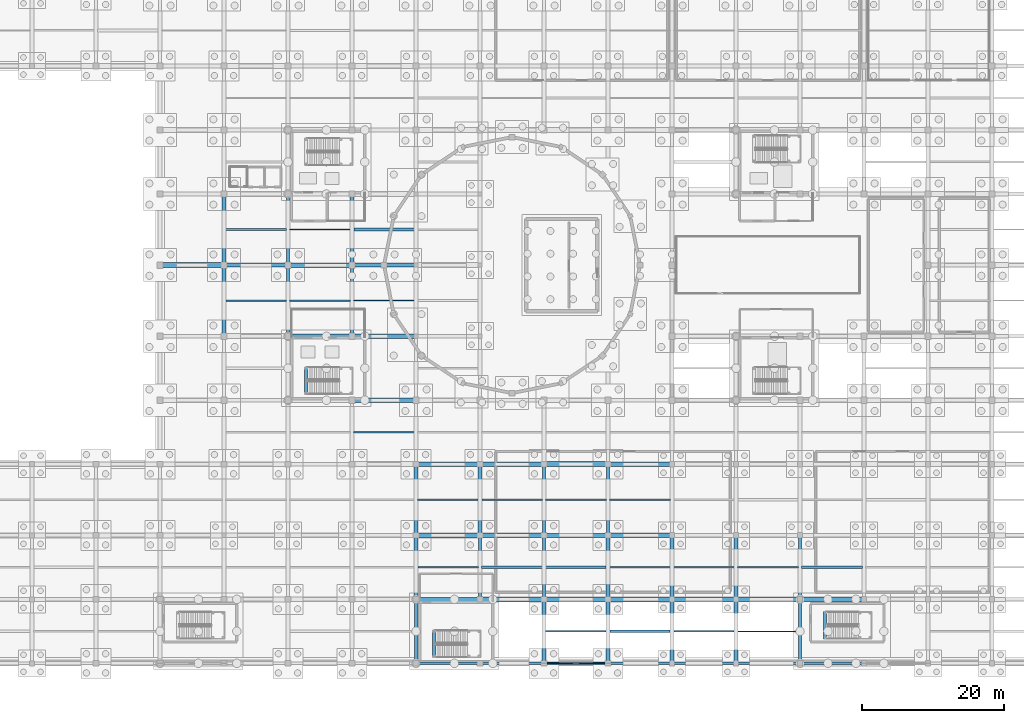
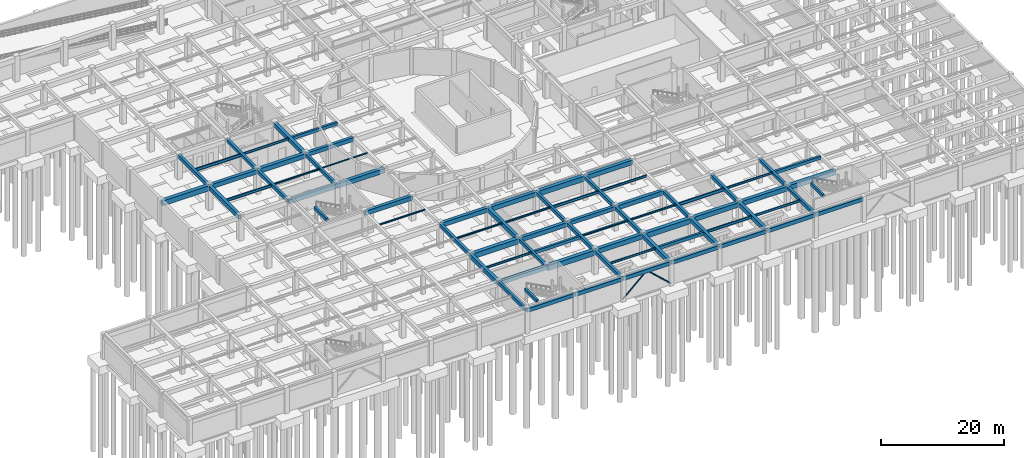
# One storey, part 29 of 62: 77 beams, 2 members.
"""IFC4 building model written with IfcOpenShell, lengths in metres."""

from ifc_helpers import new_model, si_unit, direction, frame, origin, origin_2d, place, context, subcontext, project, spatial, rectangle, hollow_circle, i_section, extrude, material, material_profile, profile_set, type_object, element, save


model = new_model("IFC4")

# Units and contexts
model_context = context("Model", 3, precision=1e-05, world=origin(), true_north=direction((0.0, 1.0)))
body_context = subcontext(model_context, "Body", "Model", "MODEL_VIEW")
ifc_project = project(units=[si_unit("LENGTHUNIT", "METRE"), si_unit("AREAUNIT", "SQUARE_METRE"), si_unit("VOLUMEUNIT", "CUBIC_METRE"), si_unit("PLANEANGLEUNIT", "RADIAN"), si_unit("MASSUNIT", "GRAM", prefix="KILO")], contexts=[model_context])

# Site, building, storey
site_placement = place(None, origin())
site = spatial("IfcSite", under=ifc_project, at=site_placement, CompositionType="ELEMENT")
building_placement = place(site_placement, origin())
building = spatial("IfcBuilding", under=site, at=building_placement, Name="Miravela Opera House", CompositionType="ELEMENT")
storey_placement = place(building_placement, frame((0.0, 0.0, -5.10009765625)))
storey = spatial("IfcBuildingStorey", under=building, at=storey_placement, Name="B01", CompositionType="ELEMENT", Elevation=-5.10009765625)

# Beams
ifc_material_1 = material(Name="Concrete C35/45", Category="concrete")
ifc_material_profile_1 = material_profile(ifc_material_1, rectangle(XDim=0.39990234375, YDim=0.60009765625, at=origin_2d()), Name="RC-BM-400X600")
ifc_profile_set_1 = profile_set([ifc_material_profile_1])
beam_type_1 = type_object("IfcBeamType", Name="STR-BM-RC400X600", PredefinedType="JOIST", material=ifc_profile_set_1)
beam_1_placement = place(storey_placement, frame((54.284912109375, 61.0, 4.52001953125), z_axis=(1.0, 0.0, 0.0), x_axis=(0.0, 1.0, 0.0)))
element("IfcBeam", 1, at=beam_1_placement, inside=storey, type_object=beam_type_1, Name="Secondary Floor Joist B01 7-8/G-H", PredefinedType="JOIST", context=body_context, shape_type="SweptSolid", body=[
    extrude(rectangle(XDim=0.39990234375, YDim=0.60009765625, at=origin_2d()), origin(), (0.0, 0.0, 1.0), 8.47998046875),
])
beam_2_placement = place(storey_placement, frame((72.2099609375, 13.5, 4.47998046875), z_axis=(1.0, 0.0, 0.0), x_axis=(0.0, 1.0, 0.0)))
element("IfcBeam", 2, at=beam_2_placement, inside=storey, type_object=beam_type_1, Name="Secondary Floor Joist B01 9-10/B-C", PredefinedType="JOIST", context=body_context, shape_type="SweptSolid", body=[
    extrude(rectangle(XDim=0.39990234375, YDim=0.60009765625, at=origin_2d()), origin(), (0.0, 0.0, 1.0), 8.56494140625),
])
beam_3_placement = place(storey_placement, frame((90.284912109375, 4.5, 4.47998046875), z_axis=(1.0, 0.0, 0.0), x_axis=(0.0, 1.0, 0.0)))
element("IfcBeam", 3, at=beam_3_placement, inside=storey, type_object=beam_type_1, Name="Secondary Floor Joist B01 11-12/A-B", PredefinedType="JOIST", context=body_context, shape_type="SweptSolid", body=[
    extrude(rectangle(XDim=0.39990234375, YDim=0.60009765625, at=origin_2d()), origin(), (0.0, 0.0, 1.0), 8.43017578125),
])
beam_4_placement = place(storey_placement, frame((117.2099609375, 13.5, 4.530029296875), z_axis=(1.0, 0.0, 0.0), x_axis=(0.0, 1.0, 0.0)))
element("IfcBeam", 4, at=beam_4_placement, inside=storey, type_object=beam_type_1, Name="Secondary Floor Joist B01 14-15/B-C", PredefinedType="JOIST", context=body_context, shape_type="SweptSolid", body=[
    extrude(rectangle(XDim=0.39990234375, YDim=0.60009765625, at=origin_2d()), origin(), (0.0, 0.0, 1.0), 8.56494140625),
])
for number, where, z_axis, x_axis, name in (
    (5, (47.5400390625, 37.800048828125, 4.800048828125), (0.0, 1.0, 0.0), (-1.0, 0.0, 0.0), "Stair K2 Opening Header Trimmer Beam 00"),
    (6, (65.5400390625, 0.800048828125, 4.800048828125), (0.0, 1.0, 0.0), (-1.0, 0.0, 0.0), "Stair K6 Opening Header Trimmer Beam 00"),
):
    element("IfcBeam", number, at=place(storey_placement, frame(where, z_axis=z_axis, x_axis=x_axis)), inside=storey, type_object=beam_type_1, Name=name, PredefinedType="JOIST", context=body_context, shape_type="SweptSolid", body=[
        extrude(rectangle(XDim=0.39990234375, YDim=0.60009765625, at=origin_2d()), origin(), (0.0, 0.0, 1.0), 3.8798828125),
    ])
beam_5_placement = place(storey_placement, frame((120.5400390625, 3.39990234375, 4.800048828125), z_axis=(0.0, 1.0, 0.0), x_axis=(-1.0, 0.0, 0.0)))
element("IfcBeam", 7, at=beam_5_placement, inside=storey, type_object=beam_type_1, Name="Stair ST-10 Opening Header Trimmer Beam 00", PredefinedType="JOIST", context=body_context, shape_type="SweptSolid", body=[
    extrude(rectangle(XDim=0.39990234375, YDim=0.60009765625, at=origin_2d()), origin(), (0.0, 0.0, 1.0), 3.880126953125),
])
ifc_material_profile_2 = material_profile(ifc_material_1, rectangle(XDim=0.449951171875, YDim=0.64990234375, at=origin_2d()), Name="RC-BM-450X650")
ifc_profile_set_2 = profile_set([ifc_material_profile_2])
beam_type_2 = type_object("IfcBeamType", Name="STR-BM-RC450X650", PredefinedType="BEAM", material=ifc_profile_set_2)
for number, where, z_axis, x_axis, name in (
    (8, (45.0, 56.080078125, 4.4951171875), (0.0, 1.0, 0.0), (-1.0, 0.0, 0.0), "Floor Girder B01 6/G-H"),
    (9, (54.0, 46.080078125, 4.4951171875), (0.0, 1.0, 0.0), (-1.0, 0.0, 0.0), "Floor Girder B01 7/F-G"),
):
    element("IfcBeam", number, at=place(storey_placement, frame(where, z_axis=z_axis, x_axis=x_axis)), inside=storey, type_object=beam_type_2, Name=name, PredefinedType="BEAM", context=body_context, shape_type="SweptSolid", body=[
        extrude(rectangle(XDim=0.449951171875, YDim=0.64990234375, at=origin_2d()), origin(), (0.0, 0.0, 1.0), 9.83984375),
    ])
for number, where, z_axis, x_axis, name in (
    (10, (63.0, 0.080078125, 4.4951171875), (0.0, 1.0, 0.0), (-1.0, 0.0, 0.0), "Floor Girder B01 8/A-B"),
    (11, (72.0, 9.080078125, 4.455078125), (0.0, 1.0, 0.0), (-1.0, 0.0, 0.0), "Floor Girder B01 9/B-C"),
):
    element("IfcBeam", number, at=place(storey_placement, frame(where, z_axis=z_axis, x_axis=x_axis)), inside=storey, type_object=beam_type_2, Name=name, PredefinedType="BEAM", context=body_context, shape_type="SweptSolid", body=[
        extrude(rectangle(XDim=0.449951171875, YDim=0.64990234375, at=origin_2d()), origin(), (0.0, 0.0, 1.0), 8.83984375),
    ])
beam_6_placement = place(storey_placement, frame((81.0, 18.080078125, 4.455078125), z_axis=(0.0, 1.0, 0.0), x_axis=(-1.0, 0.0, 0.0)))
element("IfcBeam", 12, at=beam_6_placement, inside=storey, type_object=beam_type_2, Name="Floor Girder B01 10/C-D", PredefinedType="BEAM", context=body_context, shape_type="SweptSolid", body=[
    extrude(rectangle(XDim=0.449951171875, YDim=0.64990234375, at=origin_2d()), origin(), (0.0, 0.0, 1.0), 9.83984375),
])
beam_7_placement = place(storey_placement, frame((117.0, 9.080078125, 4.455078125), z_axis=(0.0, 1.0, 0.0), x_axis=(-1.0, 0.0, 0.0)))
element("IfcBeam", 13, at=beam_7_placement, inside=storey, type_object=beam_type_2, Name="Floor Girder B01 14/B-C", PredefinedType="BEAM", context=body_context, shape_type="SweptSolid", body=[
    extrude(rectangle(XDim=0.449951171875, YDim=0.64990234375, at=origin_2d()), origin(), (0.0, 0.0, 1.0), 8.83984375),
])
ifc_material_profile_3 = material_profile(ifc_material_1, rectangle(XDim=0.47998046875, YDim=0.679931640625, at=origin_2d()), Name="RC-BM-480X680")
ifc_profile_set_3 = profile_set([ifc_material_profile_3])
beam_type_3 = type_object("IfcBeamType", Name="STR-BM-RC480X680", PredefinedType="BEAM", material=ifc_profile_set_3)
beam_8_placement = place(storey_placement, frame((45.0, 46.080078125, 4.47998046875), z_axis=(0.0, 1.0, 0.0), x_axis=(-1.0, 0.0, 0.0)))
element("IfcBeam", 14, at=beam_8_placement, inside=storey, type_object=beam_type_3, Name="Floor Girder B01 6/F-G", PredefinedType="BEAM", context=body_context, shape_type="SweptSolid", body=[
    extrude(rectangle(XDim=0.47998046875, YDim=0.679931640625, at=origin_2d()), origin(), (0.0, 0.0, 1.0), 9.83984375),
])
beam_9_placement = place(storey_placement, frame((81.0, 9.080078125, 4.440185546875), z_axis=(0.0, 1.0, 0.0), x_axis=(-1.0, 0.0, 0.0)))
element("IfcBeam", 15, at=beam_9_placement, inside=storey, type_object=beam_type_3, Name="Floor Girder B01 10/B-C", PredefinedType="BEAM", context=body_context, shape_type="SweptSolid", body=[
    extrude(rectangle(XDim=0.47998046875, YDim=0.679931640625, at=origin_2d()), origin(), (0.0, 0.0, 1.0), 8.83984375),
])
beam_10_placement = place(storey_placement, frame((90.0, 18.080078125, 4.440185546875), z_axis=(0.0, 1.0, 0.0), x_axis=(-1.0, 0.0, 0.0)))
element("IfcBeam", 16, at=beam_10_placement, inside=storey, type_object=beam_type_3, Name="Floor Girder B01 11/C-D", PredefinedType="BEAM", context=body_context, shape_type="SweptSolid", body=[
    extrude(rectangle(XDim=0.47998046875, YDim=0.679931640625, at=origin_2d()), origin(), (0.0, 0.0, 1.0), 9.83984375),
])
beam_11_placement = place(storey_placement, frame((117.0, 0.080078125, 4.440185546875), z_axis=(0.0, 1.0, 0.0), x_axis=(-1.0, 0.0, 0.0)))
element("IfcBeam", 17, at=beam_11_placement, inside=storey, type_object=beam_type_3, Name="Floor Girder B01 14/A-B", PredefinedType="BEAM", context=body_context, shape_type="SweptSolid", body=[
    extrude(rectangle(XDim=0.47998046875, YDim=0.679931640625, at=origin_2d()), origin(), (0.0, 0.0, 1.0), 8.83984375),
])
ifc_material_profile_4 = material_profile(ifc_material_1, rectangle(XDim=0.5, YDim=0.699951171875, at=origin_2d()), Name="RC-BM-500X700")
ifc_profile_set_4 = profile_set([ifc_material_profile_4])
beam_type_4 = type_object("IfcBeamType", Name="STR-BM-RC500X700", PredefinedType="BEAM", material=ifc_profile_set_4)
for number, where, z_axis, x_axis, name in (
    (18, (36.0, 56.080078125, 4.47021484375), (0.0, 1.0, 0.0), (-1.0, 0.0, 0.0), "Floor Girder B01 5/G-H"),
    (19, (63.0, 18.080078125, 4.43017578125), (0.0, 1.0, 0.0), (-1.0, 0.0, 0.0), "Floor Girder B01 8/C-D"),
):
    element("IfcBeam", number, at=place(storey_placement, frame(where, z_axis=z_axis, x_axis=x_axis)), inside=storey, type_object=beam_type_4, Name=name, PredefinedType="BEAM", context=body_context, shape_type="SweptSolid", body=[
        extrude(rectangle(XDim=0.5, YDim=0.699951171875, at=origin_2d()), origin(), (0.0, 0.0, 1.0), 9.83984375),
    ])
for number, where, z_axis, x_axis, name in (
    (20, (81.0, 0.080078125, 4.43017578125), (0.0, 1.0, 0.0), (-1.0, 0.0, 0.0), "Floor Girder B01 10/A-B"),
    (21, (90.0, 9.080078125, 4.43017578125), (0.0, 1.0, 0.0), (-1.0, 0.0, 0.0), "Floor Girder B01 11/B-C"),
    (22, (99.0, 9.080078125, 4.43017578125), (0.0, 1.0, 0.0), (-1.0, 0.0, 0.0), "Floor Girder B01 12/B-C"),
    (23, (108.0, 9.080078125, 4.43017578125), (0.0, 1.0, 0.0), (-1.0, 0.0, 0.0), "Floor Girder B01 13/B-C"),
):
    element("IfcBeam", number, at=place(storey_placement, frame(where, z_axis=z_axis, x_axis=x_axis)), inside=storey, type_object=beam_type_4, Name=name, PredefinedType="BEAM", context=body_context, shape_type="SweptSolid", body=[
        extrude(rectangle(XDim=0.5, YDim=0.699951171875, at=origin_2d()), origin(), (0.0, 0.0, 1.0), 8.83984375),
    ])
ifc_material_profile_5 = material_profile(ifc_material_1, rectangle(XDim=0.550048828125, YDim=0.75, at=origin_2d()), Name="RC-BM-550X750")
ifc_profile_set_5 = profile_set([ifc_material_profile_5])
beam_type_5 = type_object("IfcBeamType", Name="STR-BM-RC550X750", PredefinedType="BEAM", material=ifc_profile_set_5)
for number, where, z_axis, x_axis, name in (
    (24, (54.080078125, 56.0, 4.445068359375), (1.0, 0.0, 0.0), (0.0, 1.0, 0.0), "Floor Girder B01 7-8/G"),
    (25, (63.080078125, 9.0, 4.405029296875), (1.0, 0.0, 0.0), (0.0, 1.0, 0.0), "Floor Girder B01 8-9/B"),
    (26, (81.080078125, 18.0, 4.405029296875), (1.0, 0.0, 0.0), (0.0, 1.0, 0.0), "Floor Girder B01 10-11/C"),
):
    element("IfcBeam", number, at=place(storey_placement, frame(where, z_axis=z_axis, x_axis=x_axis)), inside=storey, type_object=beam_type_5, Name=name, PredefinedType="BEAM", context=body_context, shape_type="SweptSolid", body=[
        extrude(rectangle(XDim=0.550048828125, YDim=0.75, at=origin_2d()), origin(), (0.0, 0.0, 1.0), 8.83984375),
    ])
ifc_material_2 = material(Name="Concrete C40/50", Category="concrete")
ifc_material_profile_6 = material_profile(ifc_material_2, rectangle(XDim=0.60009765625, YDim=0.85009765625, at=origin_2d()), Name="RC-BM-600X850")
ifc_profile_set_6 = profile_set([ifc_material_profile_6])
beam_type_6 = type_object("IfcBeamType", Name="STR-BM-RC600X850", PredefinedType="BEAM", material=ifc_profile_set_6)
for number, where, z_axis, x_axis, name in (
    (27, (36.080078125, 56.0, 4.39501953125), (1.0, 0.0, 0.0), (0.0, 1.0, 0.0), "Floor Girder B01 5-6/G"),
    (28, (45.080078125, 46.0, 4.39501953125), (1.0, 0.0, 0.0), (0.0, 1.0, 0.0), "Floor Girder B01 6-7/F"),
    (29, (54.080078125, 37.0, 4.39501953125), (1.0, 0.0, 0.0), (0.0, 1.0, 0.0), "Floor Girder B01 7-8/E"),
    (30, (63.080078125, 28.0, 4.35498046875), (1.0, 0.0, 0.0), (0.0, 1.0, 0.0), "Floor Girder B01 8-9/D"),
    (31, (72.080078125, 18.0, 4.35498046875), (1.0, 0.0, 0.0), (0.0, 1.0, 0.0), "Floor Girder B01 9-10/C"),
    (32, (90.080078125, 18.0, 4.35498046875), (1.0, 0.0, 0.0), (0.0, 1.0, 0.0), "Floor Girder B01 11-12/C"),
):
    element("IfcBeam", number, at=place(storey_placement, frame(where, z_axis=z_axis, x_axis=x_axis)), inside=storey, type_object=beam_type_6, Name=name, PredefinedType="BEAM", context=body_context, shape_type="SweptSolid", body=[
        extrude(rectangle(XDim=0.60009765625, YDim=0.85009765625, at=origin_2d()), origin(), (0.0, 0.0, 1.0), 8.83984375),
    ])
for number, where, z_axis, x_axis, name in (
    (33, (36.0, 46.080078125, 4.39501953125), (0.0, 1.0, 0.0), (-1.0, 0.0, 0.0), "Floor Girder B01 5/F-G"),
    (34, (54.0, 56.080078125, 4.39501953125), (0.0, 1.0, 0.0), (-1.0, 0.0, 0.0), "Floor Girder B01 7/G-H"),
):
    element("IfcBeam", number, at=place(storey_placement, frame(where, z_axis=z_axis, x_axis=x_axis)), inside=storey, type_object=beam_type_6, Name=name, PredefinedType="BEAM", context=body_context, shape_type="SweptSolid", body=[
        extrude(rectangle(XDim=0.60009765625, YDim=0.85009765625, at=origin_2d()), origin(), (0.0, 0.0, 1.0), 9.83984375),
    ])
beam_12_placement = place(storey_placement, frame((63.0, 9.080078125, 4.35498046875), z_axis=(0.0, 1.0, 0.0), x_axis=(-1.0, 0.0, 0.0)))
element("IfcBeam", 35, at=beam_12_placement, inside=storey, type_object=beam_type_6, Name="Floor Girder B01 8/B-C", PredefinedType="BEAM", context=body_context, shape_type="SweptSolid", body=[
    extrude(rectangle(XDim=0.60009765625, YDim=0.85009765625, at=origin_2d()), origin(), (0.0, 0.0, 1.0), 8.83984375),
])
beam_13_placement = place(storey_placement, frame((72.0, 18.080078125, 4.35498046875), z_axis=(0.0, 1.0, 0.0), x_axis=(-1.0, 0.0, 0.0)))
element("IfcBeam", 36, at=beam_13_placement, inside=storey, type_object=beam_type_6, Name="Floor Girder B01 9/C-D", PredefinedType="BEAM", context=body_context, shape_type="SweptSolid", body=[
    extrude(rectangle(XDim=0.60009765625, YDim=0.85009765625, at=origin_2d()), origin(), (0.0, 0.0, 1.0), 9.83984375),
])
for number, where, z_axis, x_axis, name in (
    (37, (90.0, 0.080078125, 4.35498046875), (0.0, 1.0, 0.0), (-1.0, 0.0, 0.0), "Floor Girder B01 11/A-B"),
    (38, (99.0, 0.080078125, 4.35498046875), (0.0, 1.0, 0.0), (-1.0, 0.0, 0.0), "Floor Girder B01 12/A-B"),
    (39, (108.0, 0.080078125, 4.35498046875), (0.0, 1.0, 0.0), (-1.0, 0.0, 0.0), "Floor Girder B01 13/A-B"),
):
    element("IfcBeam", number, at=place(storey_placement, frame(where, z_axis=z_axis, x_axis=x_axis)), inside=storey, type_object=beam_type_6, Name=name, PredefinedType="BEAM", context=body_context, shape_type="SweptSolid", body=[
        extrude(rectangle(XDim=0.60009765625, YDim=0.85009765625, at=origin_2d()), origin(), (0.0, 0.0, 1.0), 8.83984375),
    ])
ifc_material_profile_7 = material_profile(ifc_material_2, rectangle(XDim=0.64990234375, YDim=0.89990234375, at=origin_2d()), Name="RC-BM-650X900")
ifc_profile_set_7 = profile_set([ifc_material_profile_7])
beam_type_7 = type_object("IfcBeamType", Name="STR-BM-RC650X900", PredefinedType="BEAM", material=ifc_profile_set_7)
for number, where, z_axis, x_axis, name in (
    (40, (45.080078125, 56.0, 4.3701171875), (1.0, 0.0, 0.0), (0.0, 1.0, 0.0), "Floor Girder B01 6-7/G"),
    (41, (54.080078125, 46.0, 4.3701171875), (1.0, 0.0, 0.0), (0.0, 1.0, 0.0), "Floor Girder B01 7-8/F"),
    (42, (72.080078125, 28.0, 4.330078125), (1.0, 0.0, 0.0), (0.0, 1.0, 0.0), "Floor Girder B01 9-10/D"),
    (43, (81.080078125, 9.0, 4.330078125), (1.0, 0.0, 0.0), (0.0, 1.0, 0.0), "Floor Girder B01 10-11/B"),
    (44, (90.080078125, 28.0, 4.330078125), (1.0, 0.0, 0.0), (0.0, 1.0, 0.0), "Floor Girder B01 11-12/D"),
    (45, (99.080078125, 9.0, 4.330078125), (1.0, 0.0, 0.0), (0.0, 1.0, 0.0), "Floor Girder B01 12-13/B"),
    (46, (108.080078125, 9.0, 4.330078125), (1.0, 0.0, 0.0), (0.0, 1.0, 0.0), "Floor Girder B01 13-14/B"),
    (47, (117.080078125, 9.0, 4.3701171875), (1.0, 0.0, 0.0), (0.0, 1.0, 0.0), "Floor Girder B01 14-15/B"),
):
    element("IfcBeam", number, at=place(storey_placement, frame(where, z_axis=z_axis, x_axis=x_axis)), inside=storey, type_object=beam_type_7, Name=name, PredefinedType="BEAM", context=body_context, shape_type="SweptSolid", body=[
        extrude(rectangle(XDim=0.64990234375, YDim=0.89990234375, at=origin_2d()), origin(), (0.0, 0.0, 1.0), 8.83984375),
    ])
ifc_material_profile_8 = material_profile(ifc_material_2, rectangle(XDim=0.699951171875, YDim=1.0, at=origin_2d()), Name="RC-BM-700X1000")
ifc_profile_set_8 = profile_set([ifc_material_profile_8])
beam_type_8 = type_object("IfcBeamType", Name="STR-BM-RC700X1000", PredefinedType="BEAM", material=ifc_profile_set_8)
for number, where, z_axis, x_axis, name in (
    (48, (27.080078125, 56.0, 4.320068359375), (1.0, 0.0, 0.0), (0.0, 1.0, 0.0), "Floor Girder B01 4-5/G"),
    (49, (63.080078125, 18.0, 4.280029296875), (1.0, 0.0, 0.0), (0.0, 1.0, 0.0), "Floor Girder B01 8-9/C"),
    (50, (72.080078125, 9.0, 4.280029296875), (1.0, 0.0, 0.0), (0.0, 1.0, 0.0), "Floor Girder B01 9-10/B"),
    (51, (81.080078125, 28.0, 4.280029296875), (1.0, 0.0, 0.0), (0.0, 1.0, 0.0), "Floor Girder B01 10-11/D"),
    (52, (90.080078125, 9.0, 4.280029296875), (1.0, 0.0, 0.0), (0.0, 1.0, 0.0), "Floor Girder B01 11-12/B"),
):
    element("IfcBeam", number, at=place(storey_placement, frame(where, z_axis=z_axis, x_axis=x_axis)), inside=storey, type_object=beam_type_8, Name=name, PredefinedType="BEAM", context=body_context, shape_type="SweptSolid", body=[
        extrude(rectangle(XDim=0.699951171875, YDim=1.0, at=origin_2d()), origin(), (0.0, 0.0, 1.0), 8.83984375),
    ])
ifc_material_3 = material(Name="Structural steel ASTM A992 Gr. 50", Category="steel")
ifc_material_profile_9 = material_profile(ifc_material_3, i_section(OverallWidth=0.1650390625, OverallDepth=0.200927734375, WebThickness=0.006103515625, FlangeThickness=0.01025390625, FilletRadius=0.010009765625, at=origin_2d()), Name="W200X36")
ifc_profile_set_9 = profile_set([ifc_material_profile_9])
beam_type_9 = type_object("IfcBeamType", Name="STR-BM-W200X36", PredefinedType="LINTEL", material=ifc_profile_set_9)
beam_14_placement = place(storey_placement, frame((54.2099609375, 51.0, 4.719482421875), z_axis=(1.0, 0.0, 0.0), x_axis=(0.0, 1.0, 0.0)))
element("IfcBeam", 53, at=beam_14_placement, inside=storey, type_object=beam_type_9, Name="Secondary Floor Joist B01 7-8/F-G", PredefinedType="LINTEL", context=body_context, shape_type="SweptSolid", body=[
    extrude(i_section(OverallWidth=0.1650390625, OverallDepth=0.200927734375, WebThickness=0.006103515625, FlangeThickness=0.01025390625, FilletRadius=0.010009765625, at=origin_2d()), origin(), (0.0, 0.0, 1.0), 8.505126953125),
])
ifc_material_profile_10 = material_profile(ifc_material_3, i_section(OverallWidth=0.201904296875, OverallDepth=0.2470703125, WebThickness=0.00732421875, FlangeThickness=0.010986328125, FilletRadius=0.011962890625, at=origin_2d()), Name="W250X49")
ifc_profile_set_10 = profile_set([ifc_material_profile_10])
beam_type_10 = type_object("IfcBeamType", Name="STR-BM-W250X49", PredefinedType="LINTEL", material=ifc_profile_set_10)
beam_15_placement = place(storey_placement, frame((54.22509765625, 32.5, 4.696533203125), z_axis=(1.0, 0.0, 0.0), x_axis=(0.0, 1.0, 0.0)))
element("IfcBeam", 54, at=beam_15_placement, inside=storey, type_object=beam_type_10, Name="Secondary Floor Joist B01 7-8/D-E", PredefinedType="LINTEL", context=body_context, shape_type="SweptSolid", body=[
    extrude(i_section(OverallWidth=0.201904296875, OverallDepth=0.2470703125, WebThickness=0.00732421875, FlangeThickness=0.010986328125, FilletRadius=0.011962890625, at=origin_2d()), origin(), (0.0, 0.0, 1.0), 8.5498046875),
])
ifc_material_profile_11 = material_profile(ifc_material_3, i_section(OverallWidth=0.202880859375, OverallDepth=0.302978515625, WebThickness=0.007568359375, FlangeThickness=0.01318359375, FilletRadius=0.012939453125, at=origin_2d()), Name="W310X60")
ifc_profile_set_11 = profile_set([ifc_material_profile_11])
beam_type_11 = type_object("IfcBeamType", Name="STR-BM-W310X60", PredefinedType="JOIST", material=ifc_profile_set_11)
beam_16_placement = place(storey_placement, frame((45.22509765625, 51.0, 4.668701171875), z_axis=(1.0, 0.0, 0.0), x_axis=(0.0, 1.0, 0.0)))
element("IfcBeam", 55, at=beam_16_placement, inside=storey, type_object=beam_type_11, Name="Secondary Floor Joist B01 6-7/F-G", PredefinedType="JOIST", context=body_context, shape_type="SweptSolid", body=[
    extrude(i_section(OverallWidth=0.202880859375, OverallDepth=0.302978515625, WebThickness=0.007568359375, FlangeThickness=0.01318359375, FilletRadius=0.012939453125, at=origin_2d()), origin(), (0.0, 0.0, 1.0), 8.56494140625),
])
beam_17_placement = place(storey_placement, frame((63.235107421875, 23.0, 4.628662109375), z_axis=(1.0, 0.0, 0.0), x_axis=(0.0, 1.0, 0.0)))
element("IfcBeam", 56, at=beam_17_placement, inside=storey, type_object=beam_type_11, Name="Secondary Floor Joist B01 8-9/C-D", PredefinedType="JOIST", context=body_context, shape_type="SweptSolid", body=[
    extrude(i_section(OverallWidth=0.202880859375, OverallDepth=0.302978515625, WebThickness=0.007568359375, FlangeThickness=0.01318359375, FilletRadius=0.012939453125, at=origin_2d()), origin(), (0.0, 0.0, 1.0), 8.47998046875),
])
ifc_material_profile_12 = material_profile(ifc_material_3, i_section(OverallWidth=0.304931640625, OverallDepth=0.30810546875, WebThickness=0.010009765625, FlangeThickness=0.015380859375, FilletRadius=0.013916015625, at=origin_2d()), Name="W310X97")
ifc_profile_set_12 = profile_set([ifc_material_profile_12])
beam_type_12 = type_object("IfcBeamType", Name="STR-BM-W310X97", PredefinedType="JOIST", material=ifc_profile_set_12)
beam_18_placement = place(storey_placement, frame((81.22509765625, 13.5, 4.6259765625), z_axis=(1.0, 0.0, 0.0), x_axis=(0.0, 1.0, 0.0)))
element("IfcBeam", 57, at=beam_18_placement, inside=storey, type_object=beam_type_12, Name="Secondary Floor Joist B01 10-11/B-C", PredefinedType="JOIST", context=body_context, shape_type="SweptSolid", body=[
    extrude(i_section(OverallWidth=0.304931640625, OverallDepth=0.30810546875, WebThickness=0.010009765625, FlangeThickness=0.015380859375, FilletRadius=0.013916015625, at=origin_2d()), origin(), (0.0, 0.0, 1.0), 8.539794921875),
])
ifc_material_profile_13 = material_profile(ifc_material_3, i_section(OverallWidth=0.2041015625, OverallDepth=0.35009765625, WebThickness=0.008544921875, FlangeThickness=0.01513671875, FilletRadius=0.013916015625, at=origin_2d()), Name="W360X72")
ifc_profile_set_13 = profile_set([ifc_material_profile_13])
beam_type_13 = type_object("IfcBeamType", Name="STR-BM-W360X72", PredefinedType="JOIST", material=ifc_profile_set_13)
beam_19_placement = place(storey_placement, frame((72.284912109375, 23.0, 4.60498046875), z_axis=(1.0, 0.0, 0.0), x_axis=(0.0, 1.0, 0.0)))
element("IfcBeam", 58, at=beam_19_placement, inside=storey, type_object=beam_type_13, Name="Secondary Floor Joist B01 9-10/C-D", PredefinedType="JOIST", context=body_context, shape_type="SweptSolid", body=[
    extrude(i_section(OverallWidth=0.2041015625, OverallDepth=0.35009765625, WebThickness=0.008544921875, FlangeThickness=0.01513671875, FilletRadius=0.013916015625, at=origin_2d()), origin(), (0.0, 0.0, 1.0), 8.505126953125),
])
beam_20_placement = place(storey_placement, frame((90.235107421875, 13.5, 4.60498046875), z_axis=(1.0, 0.0, 0.0), x_axis=(0.0, 1.0, 0.0)))
element("IfcBeam", 59, at=beam_20_placement, inside=storey, type_object=beam_type_13, Name="Secondary Floor Joist B01 11-12/B-C", PredefinedType="JOIST", context=body_context, shape_type="SweptSolid", body=[
    extrude(i_section(OverallWidth=0.2041015625, OverallDepth=0.35009765625, WebThickness=0.008544921875, FlangeThickness=0.01513671875, FilletRadius=0.013916015625, at=origin_2d()), origin(), (0.0, 0.0, 1.0), 8.52978515625),
])
ifc_material_profile_14 = material_profile(ifc_material_3, i_section(OverallWidth=0.177978515625, OverallDepth=0.406982421875, WebThickness=0.0078125, FlangeThickness=0.0126953125, FilletRadius=0.012939453125, at=origin_2d()), Name="W410X60")
ifc_profile_set_14 = profile_set([ifc_material_profile_14])
beam_type_14 = type_object("IfcBeamType", Name="STR-BM-W410X60", PredefinedType="JOIST", material=ifc_profile_set_14)
beam_21_placement = place(storey_placement, frame((81.235107421875, 4.5, 4.57666015625), z_axis=(1.0, 0.0, 0.0), x_axis=(0.0, 1.0, 0.0)))
element("IfcBeam", 60, at=beam_21_placement, inside=storey, type_object=beam_type_14, Name="Secondary Floor Joist B01 10-11/A-B", PredefinedType="JOIST", context=body_context, shape_type="SweptSolid", body=[
    extrude(i_section(OverallWidth=0.177978515625, OverallDepth=0.406982421875, WebThickness=0.0078125, FlangeThickness=0.0126953125, FilletRadius=0.012939453125, at=origin_2d()), origin(), (0.0, 0.0, 1.0), 8.47998046875),
])
beam_22_placement = place(storey_placement, frame((108.235107421875, 13.5, 4.57666015625), z_axis=(1.0, 0.0, 0.0), x_axis=(0.0, 1.0, 0.0)))
element("IfcBeam", 61, at=beam_22_placement, inside=storey, type_object=beam_type_14, Name="Secondary Floor Joist B01 13-14/B-C", PredefinedType="JOIST", context=body_context, shape_type="SweptSolid", body=[
    extrude(i_section(OverallWidth=0.177978515625, OverallDepth=0.406982421875, WebThickness=0.0078125, FlangeThickness=0.0126953125, FilletRadius=0.012939453125, at=origin_2d()), origin(), (0.0, 0.0, 1.0), 8.554931640625),
])
ifc_material_profile_15 = material_profile(ifc_material_3, i_section(OverallWidth=0.180908203125, OverallDepth=0.4169921875, WebThickness=0.010986328125, FlangeThickness=0.018310546875, FilletRadius=0.013916015625, at=origin_2d()), Name="W410X85")
ifc_profile_set_15 = profile_set([ifc_material_profile_15])
beam_type_15 = type_object("IfcBeamType", Name="STR-BM-W410X85", PredefinedType="JOIST", material=ifc_profile_set_15)
beam_23_placement = place(storey_placement, frame((63.284912109375, 13.5, 4.571533203125), z_axis=(1.0, 0.0, 0.0), x_axis=(0.0, 1.0, 0.0)))
element("IfcBeam", 62, at=beam_23_placement, inside=storey, type_object=beam_type_15, Name="Secondary Floor Joist B01 8-9/B-C", PredefinedType="JOIST", context=body_context, shape_type="SweptSolid", body=[
    extrude(i_section(OverallWidth=0.180908203125, OverallDepth=0.4169921875, WebThickness=0.010986328125, FlangeThickness=0.018310546875, FilletRadius=0.013916015625, at=origin_2d()), origin(), (0.0, 0.0, 1.0), 8.505126953125),
])
ifc_material_profile_16 = material_profile(ifc_material_3, i_section(OverallWidth=0.154052734375, OverallDepth=0.458984375, WebThickness=0.009033203125, FlangeThickness=0.015380859375, FilletRadius=0.013916015625, at=origin_2d()), Name="W460X68")
ifc_profile_set_16 = profile_set([ifc_material_profile_16])
beam_type_16 = type_object("IfcBeamType", Name="STR-BM-W460X68", PredefinedType="JOIST", material=ifc_profile_set_16)
beam_24_placement = place(storey_placement, frame((45.2099609375, 61.0, 4.590576171875), z_axis=(1.0, 0.0, 0.0), x_axis=(0.0, 1.0, 0.0)))
element("IfcBeam", 63, at=beam_24_placement, inside=storey, type_object=beam_type_16, Name="Secondary Floor Joist B01 6-7/G-H", PredefinedType="JOIST", context=body_context, shape_type="SweptSolid", body=[
    extrude(i_section(OverallWidth=0.154052734375, OverallDepth=0.458984375, WebThickness=0.009033203125, FlangeThickness=0.015380859375, FilletRadius=0.013916015625, at=origin_2d()), origin(), (0.0, 0.0, 1.0), 8.505126953125),
])
beam_25_placement = place(storey_placement, frame((108.284912109375, 4.5, 4.550537109375), z_axis=(1.0, 0.0, 0.0), x_axis=(0.0, 1.0, 0.0)))
element("IfcBeam", 64, at=beam_25_placement, inside=storey, type_object=beam_type_16, Name="Secondary Floor Joist B01 13-14/A-B", PredefinedType="JOIST", context=body_context, shape_type="SweptSolid", body=[
    extrude(i_section(OverallWidth=0.154052734375, OverallDepth=0.458984375, WebThickness=0.009033203125, FlangeThickness=0.015380859375, FilletRadius=0.013916015625, at=origin_2d()), origin(), (0.0, 0.0, 1.0), 8.489990234375),
])
ifc_material_profile_17 = material_profile(ifc_material_3, i_section(OverallWidth=0.19091796875, OverallDepth=0.4599609375, WebThickness=0.010009765625, FlangeThickness=0.01611328125, FilletRadius=0.014892578125, at=origin_2d()), Name="W460X82")
ifc_profile_set_17 = profile_set([ifc_material_profile_17])
beam_type_17 = type_object("IfcBeamType", Name="STR-BM-W460X82", PredefinedType="JOIST", material=ifc_profile_set_17)
beam_26_placement = place(storey_placement, frame((90.22509765625, 23.0, 4.550048828125), z_axis=(1.0, 0.0, 0.0), x_axis=(0.0, 1.0, 0.0)))
element("IfcBeam", 65, at=beam_26_placement, inside=storey, type_object=beam_type_17, Name="Secondary Floor Joist B01 11-12/C-D", PredefinedType="JOIST", context=body_context, shape_type="SweptSolid", body=[
    extrude(i_section(OverallWidth=0.19091796875, OverallDepth=0.4599609375, WebThickness=0.010009765625, FlangeThickness=0.01611328125, FilletRadius=0.014892578125, at=origin_2d()), origin(), (0.0, 0.0, 1.0), 8.5498046875),
])
ifc_material_profile_18 = material_profile(ifc_material_3, i_section(OverallWidth=0.208984375, OverallDepth=0.532958984375, WebThickness=0.01025390625, FlangeThickness=0.015625, FilletRadius=0.014892578125, at=origin_2d()), Name="W530X92")
ifc_profile_set_18 = profile_set([ifc_material_profile_18])
beam_type_18 = type_object("IfcBeamType", Name="STR-BM-W530X92", PredefinedType="BEAM", material=ifc_profile_set_18)
beam_27_placement = place(storey_placement, frame((36.284912109375, 51.0, 4.5537109375), z_axis=(1.0, 0.0, 0.0), x_axis=(0.0, 1.0, 0.0)))
element("IfcBeam", 66, at=beam_27_placement, inside=storey, type_object=beam_type_18, Name="Secondary Floor Joist B01 5-6/F-G", PredefinedType="BEAM", context=body_context, shape_type="SweptSolid", body=[
    extrude(i_section(OverallWidth=0.208984375, OverallDepth=0.532958984375, WebThickness=0.01025390625, FlangeThickness=0.015625, FilletRadius=0.014892578125, at=origin_2d()), origin(), (0.0, 0.0, 1.0), 8.489990234375),
])
beam_28_placement = place(storey_placement, frame((81.2099609375, 23.0, 4.513671875), z_axis=(1.0, 0.0, 0.0), x_axis=(0.0, 1.0, 0.0)))
element("IfcBeam", 67, at=beam_28_placement, inside=storey, type_object=beam_type_18, Name="Secondary Floor Joist B01 10-11/C-D", PredefinedType="BEAM", context=body_context, shape_type="SweptSolid", body=[
    extrude(i_section(OverallWidth=0.208984375, OverallDepth=0.532958984375, WebThickness=0.01025390625, FlangeThickness=0.015625, FilletRadius=0.014892578125, at=origin_2d()), origin(), (0.0, 0.0, 1.0), 8.56494140625),
])
beam_29_placement = place(storey_placement, frame((99.284912109375, 4.5, 4.513671875), z_axis=(1.0, 0.0, 0.0), x_axis=(0.0, 1.0, 0.0)))
element("IfcBeam", 68, at=beam_29_placement, inside=storey, type_object=beam_type_18, Name="Secondary Floor Joist B01 12-13/A-B", PredefinedType="BEAM", context=body_context, shape_type="SweptSolid", body=[
    extrude(i_section(OverallWidth=0.208984375, OverallDepth=0.532958984375, WebThickness=0.01025390625, FlangeThickness=0.015625, FilletRadius=0.014892578125, at=origin_2d()), origin(), (0.0, 0.0, 1.0), 8.43017578125),
])
ifc_material_profile_19 = material_profile(ifc_material_3, i_section(OverallWidth=0.22802734375, OverallDepth=0.60791015625, WebThickness=0.01123046875, FlangeThickness=0.017333984375, FilletRadius=0.01611328125, at=origin_2d()), Name="W610X113")
ifc_profile_set_19 = profile_set([ifc_material_profile_19])
beam_type_19 = type_object("IfcBeamType", Name="STR-BM-W610X113", PredefinedType="BEAM", material=ifc_profile_set_19)
beam_30_placement = place(storey_placement, frame((36.235107421875, 61.0, 4.51611328125), z_axis=(1.0, 0.0, 0.0), x_axis=(0.0, 1.0, 0.0)))
element("IfcBeam", 69, at=beam_30_placement, inside=storey, type_object=beam_type_19, Name="Secondary Floor Joist B01 5-6/G-H", PredefinedType="BEAM", context=body_context, shape_type="SweptSolid", body=[
    extrude(i_section(OverallWidth=0.22802734375, OverallDepth=0.60791015625, WebThickness=0.01123046875, FlangeThickness=0.017333984375, FilletRadius=0.01611328125, at=origin_2d()), origin(), (0.0, 0.0, 1.0), 8.554931640625),
])
beam_31_placement = place(storey_placement, frame((99.235107421875, 13.5, 4.47607421875), z_axis=(1.0, 0.0, 0.0), x_axis=(0.0, 1.0, 0.0)))
element("IfcBeam", 70, at=beam_31_placement, inside=storey, type_object=beam_type_19, Name="Secondary Floor Joist B01 12-13/B-C", PredefinedType="BEAM", context=body_context, shape_type="SweptSolid", body=[
    extrude(i_section(OverallWidth=0.22802734375, OverallDepth=0.60791015625, WebThickness=0.01123046875, FlangeThickness=0.017333984375, FilletRadius=0.01611328125, at=origin_2d()), origin(), (0.0, 0.0, 1.0), 8.52978515625),
])

# Members
ifc_material_4 = material(Name="Hollow structural steel ASTM A500 Gr. C", Category="steel")
ifc_material_profile_20 = material_profile(ifc_material_4, hollow_circle(Radius=0.136474609375, WallThickness=0.010009765625, at=origin_2d()), Name="CHS273X10")
ifc_profile_set_20 = profile_set([ifc_material_profile_20])
member_type = type_object("IfcMemberType", Name="STR-MEM-FRAME-BR2", PredefinedType="BRACE", material=ifc_profile_set_20)
for number, where, z_axis, x_axis, name in (
    (71, (81.0, 0.0, 0.300048828125), (0.736735892782, 0.0, 0.676180615137), (0.0, 1.0, 0.0), "Concentric Braced Frame BF-S2 B01 Left Brace"),
    (72, (90.0, 0.0, 0.300048828125), (-0.736735892782, 0.0, 0.676180615137), (0.0, -1.0, 0.0), "Concentric Braced Frame BF-S2 B01 Right Brace"),
):
    element("IfcMember", number, at=place(storey_placement, frame(where, z_axis=z_axis, x_axis=x_axis)), inside=storey, type_object=member_type, Name=name, PredefinedType="BRACE", context=body_context, shape_type="SweptSolid", body=[
        extrude(hollow_circle(Radius=0.136474609375, WallThickness=0.010009765625, at=origin_2d()), origin(), (0.0, 0.0, 1.0), 6.10791015625),
    ])

# Beams
ifc_material_profile_21 = material_profile(ifc_material_1, rectangle(XDim=0.39990234375, YDim=0.75, at=origin_2d()), Name="RC-SPN-400X750")
ifc_profile_set_21 = profile_set([ifc_material_profile_21])
beam_type_20 = type_object("IfcBeamType", Name="STR-SPN-RC400X750", PredefinedType="SPANDREL", material=ifc_profile_set_21)
for number, where, z_axis, x_axis, name in (
    (73, (63.080078125, 0.0, 4.405029296875), (1.0, 0.0, 0.0), (0.0, 1.0, 0.0), "Floor Girder B01 8-9/A"),
    (74, (72.080078125, 0.0, 4.405029296875), (1.0, 0.0, 0.0), (0.0, 1.0, 0.0), "Floor Girder B01 9-10/A"),
    (75, (81.080078125, 0.0, 4.405029296875), (1.0, 0.0, 0.0), (0.0, 1.0, 0.0), "Floor Girder B01 10-11/A"),
    (76, (90.080078125, 0.0, 4.405029296875), (1.0, 0.0, 0.0), (0.0, 1.0, 0.0), "Floor Girder B01 11-12/A"),
    (77, (99.080078125, 0.0, 4.405029296875), (1.0, 0.0, 0.0), (0.0, 1.0, 0.0), "Floor Girder B01 12-13/A"),
    (78, (108.080078125, 0.0, 4.405029296875), (1.0, 0.0, 0.0), (0.0, 1.0, 0.0), "Floor Girder B01 13-14/A"),
    (79, (117.080078125, 0.0, 4.445068359375), (1.0, 0.0, 0.0), (0.0, 1.0, 0.0), "Floor Girder B01 14-15/A"),
):
    element("IfcBeam", number, at=place(storey_placement, frame(where, z_axis=z_axis, x_axis=x_axis)), inside=storey, type_object=beam_type_20, Name=name, PredefinedType="SPANDREL", context=body_context, shape_type="SweptSolid", body=[
        extrude(rectangle(XDim=0.39990234375, YDim=0.75, at=origin_2d()), origin(), (0.0, 0.0, 1.0), 8.83984375),
    ])

save(model, "model.ifc")
